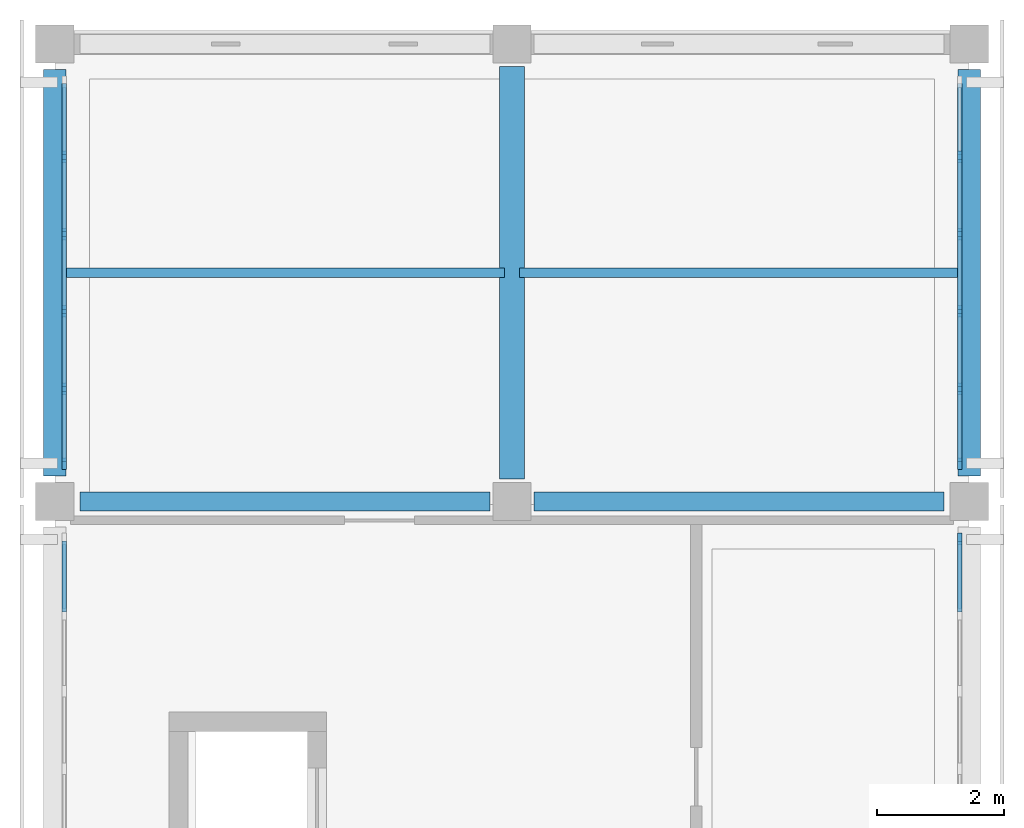
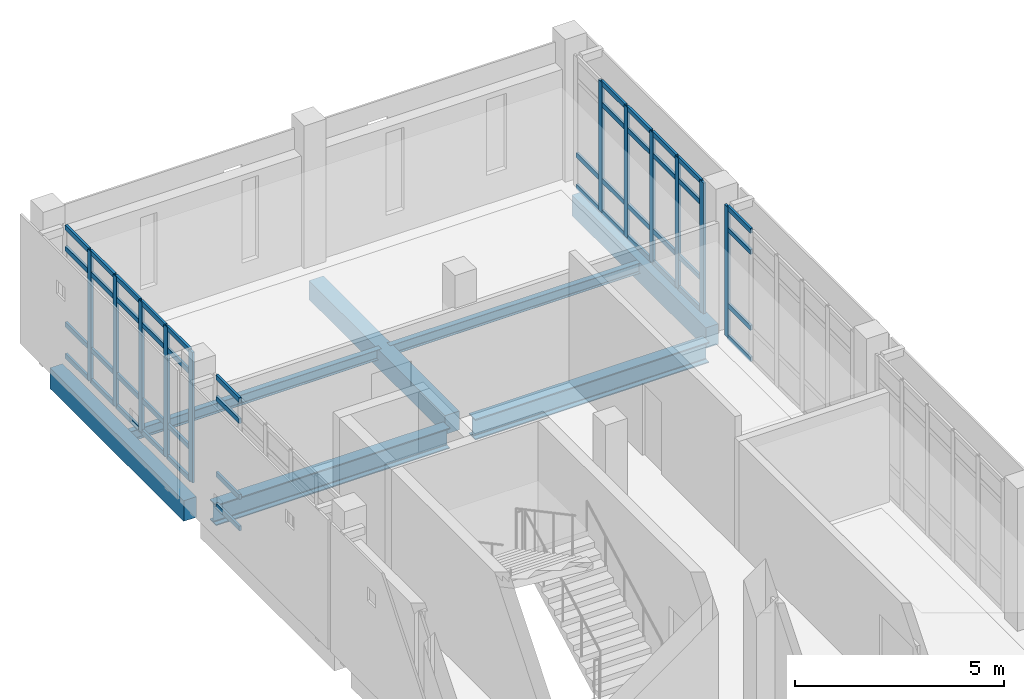
# One storey, part 9 of 21: 57 members, 7 beams, 4 elements without a shape of their own.
"""IFC4 building model written with IfcOpenShell, lengths in metres."""

from ifc_helpers import new_model, si_unit, direction, frame, origin, origin_2d, place, context, subcontext, project, spatial, rectangle, i_section, extrude, material, layer, layer_set, material_profile, profile_set, type_object, element, aggregate, save


model = new_model("IFC4")

# Units and contexts
model_context = context("Model", 3, precision=1e-05, world=origin(), true_north=direction((0.0, 1.0)))
body_context = subcontext(model_context, "Body", "Model", "MODEL_VIEW")
ifc_project = project(units=[si_unit("LENGTHUNIT", "METRE"), si_unit("AREAUNIT", "SQUARE_METRE"), si_unit("VOLUMEUNIT", "CUBIC_METRE"), si_unit("PLANEANGLEUNIT", "RADIAN"), si_unit("MASSUNIT", "GRAM", prefix="KILO")], contexts=[model_context])

# Site, building, storey
site_placement = place(None, origin())
site = spatial("IfcSite", under=ifc_project, at=site_placement, CompositionType="ELEMENT")
building_placement = place(site_placement, origin())
building = spatial("IfcBuilding", under=site, at=building_placement, Name="Valkovuoma Quantum and Materials Research Institute", CompositionType="ELEMENT")
storey_placement = place(building_placement, frame((0.0, 0.0, 29.760009765625)))
storey = spatial("IfcBuildingStorey", under=building, at=storey_placement, Name="L07", CompositionType="ELEMENT", Elevation=29.760009765625)

# Beams
ifc_material_1 = material(Name="Steel S355J2", Category="steel")
ifc_material_profile_1 = material_profile(ifc_material_1, i_section(OverallWidth=0.300048828125, OverallDepth=0.60009765625, WebThickness=0.015380859375, FlangeThickness=0.030029296875, FilletRadius=0.027099609375, at=origin_2d()), Name="Steel S355J2")
ifc_profile_set_1 = profile_set([ifc_material_profile_1], Name="Steel S355J2")
beam_type_1 = type_object("IfcBeamType", Name="Beam-B-HEB600", PredefinedType="BEAM", material=ifc_profile_set_1)
beam_1_placement = place(storey_placement, frame((0.39990234375, 86.39990234375, -0.64990234375), z_axis=(1.0, 0.0, 0.0), x_axis=(0.0, 1.0, 0.0)))
element("IfcBeam", 1, at=beam_1_placement, inside=storey, type_object=beam_type_1, Name="L07 beam X-2504", PredefinedType="BEAM", context=body_context, shape_type="SweptSolid", body=[
    extrude(i_section(OverallWidth=0.300048828125, OverallDepth=0.60009765625, WebThickness=0.015380859375, FlangeThickness=0.030029296875, FilletRadius=0.027099609375, at=origin_2d()), origin(), (0.0, 0.0, 1.0), 6.4501953125),
])
beam_2_placement = place(storey_placement, frame((7.550048828125, 86.39990234375, -0.64990234375), z_axis=(1.0, 0.0, 0.0), x_axis=(0.0, 1.0, 0.0)))
element("IfcBeam", 2, at=beam_2_placement, inside=storey, type_object=beam_type_1, Name="L07 beam X-2505", PredefinedType="BEAM", context=body_context, shape_type="SweptSolid", body=[
    extrude(i_section(OverallWidth=0.300048828125, OverallDepth=0.60009765625, WebThickness=0.015380859375, FlangeThickness=0.030029296875, FilletRadius=0.027099609375, at=origin_2d()), origin(), (0.0, 0.0, 1.0), 6.449951171875),
])
ifc_material_2 = material(Name="Steel S355J2", Category="steel")
ifc_material_profile_2 = material_profile(ifc_material_2, i_section(OverallWidth=0.14990234375, OverallDepth=0.300048828125, WebThickness=0.007080078125, FlangeThickness=0.0107421875, FilletRadius=0.014892578125, at=origin_2d()), Name="Steel S355J2")
ifc_profile_set_2 = profile_set([ifc_material_profile_2], Name="Steel S355J2")
beam_type_2 = type_object("IfcBeamType", Name="Beam-B-JST300", PredefinedType="JOIST", material=ifc_profile_set_2)
for number, where, z_axis, x_axis, name in (
    (3, (0.1201171875, 90.0, -0.5), (1.0, 0.0, 0.0), (0.0, 1.0, 0.0), "L07 floor joist 2530"),
    (4, (7.320068359375, 90.0, -0.5), (1.0, 0.0, 0.0), (0.0, 1.0, 0.0), "L07 floor joist 2531"),
):
    element("IfcBeam", number, at=place(storey_placement, frame(where, z_axis=z_axis, x_axis=x_axis)), inside=storey, type_object=beam_type_2, Name=name, PredefinedType="JOIST", context=body_context, shape_type="SweptSolid", body=[
        extrude(i_section(OverallWidth=0.14990234375, OverallDepth=0.300048828125, WebThickness=0.007080078125, FlangeThickness=0.0107421875, FilletRadius=0.014892578125, at=origin_2d()), origin(), (0.0, 0.0, 1.0), 6.9599609375),
    ])
ifc_material_3 = material(Name="Concrete C40/50", Category="concrete")
ifc_material_profile_3 = material_profile(ifc_material_3, rectangle(XDim=0.39990234375, YDim=0.550048828125, at=origin_2d()), Name="Concrete C40/50")
ifc_profile_set_3 = profile_set([ifc_material_profile_3], Name="Concrete C40/50")
beam_type_3 = type_object("IfcBeamType", Name="Beam-B-RC550", PredefinedType="BEAM", material=ifc_profile_set_3)
beam_3_placement = place(storey_placement, frame((7.199951171875, 86.75, -0.625), z_axis=(0.0, 1.0, 0.0), x_axis=(-1.0, 0.0, 0.0)))
element("IfcBeam", 5, at=beam_3_placement, inside=storey, type_object=beam_type_3, Name="L07 beam Y-2515", PredefinedType="BEAM", context=body_context, shape_type="SweptSolid", body=[
    extrude(rectangle(XDim=0.39990234375, YDim=0.550048828125, at=origin_2d()), origin(), (0.0, 0.0, 1.0), 6.5),
])
ifc_material_4 = material(Name="Concrete C40/50", Category="concrete")
ifc_material_profile_4 = material_profile(ifc_material_4, rectangle(XDim=0.35009765625, YDim=0.60009765625, at=origin_2d()), Name="Concrete C40/50")
ifc_profile_set_4 = profile_set([ifc_material_profile_4], Name="Concrete C40/50")
beam_type_4 = type_object("IfcBeamType", Name="Beam-B-SPN600", PredefinedType="SPANDREL", material=ifc_profile_set_4)
for number, where, z_axis, x_axis, name in (
    (6, (0.0, 86.800048828125, -0.64990234375), (0.0, 1.0, 0.0), (-1.0, 0.0, 0.0), "L07 beam Y-2512"),
    (7, (14.39990234375, 86.800048828125, -0.64990234375), (0.0, 1.0, 0.0), (-1.0, 0.0, 0.0), "L07 beam Y-2520"),
):
    element("IfcBeam", number, at=place(storey_placement, frame(where, z_axis=z_axis, x_axis=x_axis)), inside=storey, type_object=beam_type_4, Name=name, PredefinedType="SPANDREL", context=body_context, shape_type="SweptSolid", body=[
        extrude(rectangle(XDim=0.35009765625, YDim=0.60009765625, at=origin_2d()), origin(), (0.0, 0.0, 1.0), 6.39990234375),
    ])

# Curtain wall, member
ifc_material_5 = material(Name="Thermally broken aluminium and triple low-E glazing", Category="aluminium")
ifc_layer = layer(ifc_material_5, 0.219970703125)
ifc_layer_set = layer_set([ifc_layer], Name="Thermally broken aluminium and triple low-E glazing")
curtain_wall_type = type_object("IfcCurtainWallType", Name="CW-CW-01", PredefinedType="NOTDEFINED", material=ifc_layer_set)
curtain_wall_1_placement = place(storey_placement, origin())
curtain_wall_1 = element("IfcCurtainWall", 8, at=curtain_wall_1_placement, inside=storey, type_object=curtain_wall_type, Name="L07 curtain wall 106", PredefinedType="NOTDEFINED")
ifc_material_6 = material(Name="Anodised aluminium 6060-T66", Category="aluminium")
ifc_material_profile_5 = material_profile(ifc_material_6, rectangle(XDim=0.06494140625, YDim=0.179931640625, at=origin_2d()), Name="Anodised aluminium 6060-T66")
ifc_profile_set_5 = profile_set([ifc_material_profile_5], Name="Anodised aluminium 6060-T66")
member_type_1 = type_object("IfcMemberType", Name="CWMull-CWM-01", PredefinedType="MULLION", material=ifc_profile_set_5)
member_1_placement = place(storey_placement, frame((14.25, 85.810302734375, 0.0), z_axis=(0.0, 0.0, 1.0), x_axis=(-1.0, 0.0, 0.0)))
member_1 = element("IfcMember", 9, at=member_1_placement, type_object=member_type_1, Name="CW-01 mullion 6", PredefinedType="MULLION", context=body_context, shape_type="SweptSolid", body=[
    extrude(rectangle(XDim=0.06494140625, YDim=0.179931640625, at=origin_2d()), origin(), (0.0, 0.0, 1.0), 3.81005859375),
])

# Curtain wall, members
curtain_wall_2_placement = place(storey_placement, origin())
curtain_wall_2 = element("IfcCurtainWall", 10, at=curtain_wall_2_placement, inside=storey, type_object=curtain_wall_type, Name="L07 curtain wall 107", PredefinedType="NOTDEFINED")
member_2_placement = place(storey_placement, frame((0.14990234375, 86.989501953125, 0.0), z_axis=(0.0, 0.0, 1.0), x_axis=(-1.0, 0.0, 0.0)))
member_2 = element("IfcMember", 11, at=member_2_placement, type_object=member_type_1, Name="CW-01 mullion 1", PredefinedType="MULLION", context=body_context, shape_type="SweptSolid", body=[
    extrude(rectangle(XDim=0.06494140625, YDim=0.179931640625, at=origin_2d()), origin(), (0.0, 0.0, 1.0), 3.81005859375),
])
member_3_placement = place(storey_placement, frame((0.14990234375, 88.17431640625, 0.0), z_axis=(0.0, 0.0, 1.0), x_axis=(-1.0, 0.0, 0.0)))
member_3 = element("IfcMember", 12, at=member_3_placement, type_object=member_type_1, Name="CW-01 mullion 2", PredefinedType="MULLION", context=body_context, shape_type="SweptSolid", body=[
    extrude(rectangle(XDim=0.06494140625, YDim=0.179931640625, at=origin_2d()), origin(), (0.0, 0.0, 1.0), 3.81005859375),
])
member_4_placement = place(storey_placement, frame((0.14990234375, 89.391357421875, 0.0), z_axis=(0.0, 0.0, 1.0), x_axis=(-1.0, 0.0, 0.0)))
member_4 = element("IfcMember", 13, at=member_4_placement, type_object=member_type_1, Name="CW-01 mullion 3", PredefinedType="MULLION", context=body_context, shape_type="SweptSolid", body=[
    extrude(rectangle(XDim=0.06494140625, YDim=0.179931640625, at=origin_2d()), origin(), (0.0, 0.0, 1.0), 3.81005859375),
])
member_5_placement = place(storey_placement, frame((0.14990234375, 90.608642578125, 0.0), z_axis=(0.0, 0.0, 1.0), x_axis=(-1.0, 0.0, 0.0)))
member_5 = element("IfcMember", 14, at=member_5_placement, type_object=member_type_1, Name="CW-01 mullion 4", PredefinedType="MULLION", context=body_context, shape_type="SweptSolid", body=[
    extrude(rectangle(XDim=0.06494140625, YDim=0.179931640625, at=origin_2d()), origin(), (0.0, 0.0, 1.0), 3.81005859375),
])
member_6_placement = place(storey_placement, frame((0.14990234375, 91.82568359375, 0.0), z_axis=(0.0, 0.0, 1.0), x_axis=(-1.0, 0.0, 0.0)))
member_6 = element("IfcMember", 15, at=member_6_placement, type_object=member_type_1, Name="CW-01 mullion 5", PredefinedType="MULLION", context=body_context, shape_type="SweptSolid", body=[
    extrude(rectangle(XDim=0.06494140625, YDim=0.179931640625, at=origin_2d()), origin(), (0.0, 0.0, 1.0), 3.81005859375),
])

curtain_wall_3_placement = place(storey_placement, origin())
curtain_wall_3 = element("IfcCurtainWall", 16, at=curtain_wall_3_placement, inside=storey, type_object=curtain_wall_type, Name="L07 curtain wall 108", PredefinedType="NOTDEFINED")
member_7_placement = place(storey_placement, frame((14.25, 86.989501953125, 0.0), z_axis=(0.0, 0.0, 1.0), x_axis=(-1.0, 0.0, 0.0)))
member_7 = element("IfcMember", 17, at=member_7_placement, type_object=member_type_1, Name="CW-01 mullion 1", PredefinedType="MULLION", context=body_context, shape_type="SweptSolid", body=[
    extrude(rectangle(XDim=0.06494140625, YDim=0.179931640625, at=origin_2d()), origin(), (0.0, 0.0, 1.0), 3.81005859375),
])
member_8_placement = place(storey_placement, frame((14.25, 88.17431640625, 0.0), z_axis=(0.0, 0.0, 1.0), x_axis=(-1.0, 0.0, 0.0)))
member_8 = element("IfcMember", 18, at=member_8_placement, type_object=member_type_1, Name="CW-01 mullion 2", PredefinedType="MULLION", context=body_context, shape_type="SweptSolid", body=[
    extrude(rectangle(XDim=0.06494140625, YDim=0.179931640625, at=origin_2d()), origin(), (0.0, 0.0, 1.0), 3.81005859375),
])
member_9_placement = place(storey_placement, frame((14.25, 89.391357421875, 0.0), z_axis=(0.0, 0.0, 1.0), x_axis=(-1.0, 0.0, 0.0)))
member_9 = element("IfcMember", 19, at=member_9_placement, type_object=member_type_1, Name="CW-01 mullion 3", PredefinedType="MULLION", context=body_context, shape_type="SweptSolid", body=[
    extrude(rectangle(XDim=0.06494140625, YDim=0.179931640625, at=origin_2d()), origin(), (0.0, 0.0, 1.0), 3.81005859375),
])
member_10_placement = place(storey_placement, frame((14.25, 90.608642578125, 0.0), z_axis=(0.0, 0.0, 1.0), x_axis=(-1.0, 0.0, 0.0)))
member_10 = element("IfcMember", 20, at=member_10_placement, type_object=member_type_1, Name="CW-01 mullion 4", PredefinedType="MULLION", context=body_context, shape_type="SweptSolid", body=[
    extrude(rectangle(XDim=0.06494140625, YDim=0.179931640625, at=origin_2d()), origin(), (0.0, 0.0, 1.0), 3.81005859375),
])
member_11_placement = place(storey_placement, frame((14.25, 91.82568359375, 0.0), z_axis=(0.0, 0.0, 1.0), x_axis=(-1.0, 0.0, 0.0)))
member_11 = element("IfcMember", 21, at=member_11_placement, type_object=member_type_1, Name="CW-01 mullion 5", PredefinedType="MULLION", context=body_context, shape_type="SweptSolid", body=[
    extrude(rectangle(XDim=0.06494140625, YDim=0.179931640625, at=origin_2d()), origin(), (0.0, 0.0, 1.0), 3.81005859375),
])

curtain_wall_4_placement = place(storey_placement, origin())
curtain_wall_4 = element("IfcCurtainWall", 22, at=curtain_wall_4_placement, inside=storey, type_object=curtain_wall_type, Name="L07 curtain wall 105", PredefinedType="NOTDEFINED")
ifc_material_7 = material(Name="Anodised aluminium 6060-T66", Category="aluminium")
ifc_material_profile_6 = material_profile(ifc_material_7, rectangle(XDim=0.06494140625, YDim=0.139892578125, at=origin_2d()), Name="Anodised aluminium 6060-T66")
ifc_profile_set_6 = profile_set([ifc_material_profile_6], Name="Anodised aluminium 6060-T66")
member_type_2 = type_object("IfcMemberType", Name="CWTran-CWT-01", PredefinedType="USERDEFINED", material=ifc_profile_set_6)
member_12_placement = place(storey_placement, frame((0.14990234375, 84.658203125, 0.032470703125), z_axis=(0.0, 1.0, 0.0), x_axis=(-1.0, 0.0, 0.0)))
member_12 = element("IfcMember", 23, at=member_12_placement, type_object=member_type_2, Name="CW-01 transom 5.1", ObjectType="TRANSOM", PredefinedType="USERDEFINED", context=body_context, shape_type="SweptSolid", body=[
    extrude(rectangle(XDim=0.06494140625, YDim=0.139892578125, at=origin_2d()), origin(), (0.0, 0.0, 1.0), 1.11962890625),
])
member_13_placement = place(storey_placement, frame((0.14990234375, 84.658203125, 0.949951171875), z_axis=(0.0, 1.0, 0.0), x_axis=(-1.0, 0.0, 0.0)))
member_13 = element("IfcMember", 24, at=member_13_placement, type_object=member_type_2, Name="CW-01 transom 5.2", ObjectType="TRANSOM", PredefinedType="USERDEFINED", context=body_context, shape_type="SweptSolid", body=[
    extrude(rectangle(XDim=0.06494140625, YDim=0.139892578125, at=origin_2d()), origin(), (0.0, 0.0, 1.0), 1.11962890625),
])
member_14_placement = place(storey_placement, frame((0.14990234375, 84.658203125, 3.159912109375), z_axis=(0.0, 1.0, 0.0), x_axis=(-1.0, 0.0, 0.0)))
member_14 = element("IfcMember", 25, at=member_14_placement, type_object=member_type_2, Name="CW-01 transom 5.3", ObjectType="TRANSOM", PredefinedType="USERDEFINED", context=body_context, shape_type="SweptSolid", body=[
    extrude(rectangle(XDim=0.06494140625, YDim=0.139892578125, at=origin_2d()), origin(), (0.0, 0.0, 1.0), 1.11962890625),
])
member_15_placement = place(storey_placement, frame((0.14990234375, 84.658203125, 3.777587890625), z_axis=(0.0, 1.0, 0.0), x_axis=(-1.0, 0.0, 0.0)))
member_15 = element("IfcMember", 26, at=member_15_placement, type_object=member_type_2, Name="CW-01 transom 5.4", ObjectType="TRANSOM", PredefinedType="USERDEFINED", context=body_context, shape_type="SweptSolid", body=[
    extrude(rectangle(XDim=0.06494140625, YDim=0.139892578125, at=origin_2d()), origin(), (0.0, 0.0, 1.0), 1.11962890625),
])
aggregate(curtain_wall_4, [member_12, member_13, member_14, member_15])

# Member
member_16_placement = place(storey_placement, frame((14.25, 84.658203125, 0.032470703125), z_axis=(0.0, 1.0, 0.0), x_axis=(-1.0, 0.0, 0.0)))
member_16 = element("IfcMember", 27, at=member_16_placement, type_object=member_type_2, Name="CW-01 transom 5.1", ObjectType="TRANSOM", PredefinedType="USERDEFINED", context=body_context, shape_type="SweptSolid", body=[
    extrude(rectangle(XDim=0.06494140625, YDim=0.139892578125, at=origin_2d()), origin(), (0.0, 0.0, 1.0), 1.11962890625),
])

member_17_placement = place(storey_placement, frame((14.25, 84.658203125, 0.949951171875), z_axis=(0.0, 1.0, 0.0), x_axis=(-1.0, 0.0, 0.0)))
member_17 = element("IfcMember", 28, at=member_17_placement, type_object=member_type_2, Name="CW-01 transom 5.2", ObjectType="TRANSOM", PredefinedType="USERDEFINED", context=body_context, shape_type="SweptSolid", body=[
    extrude(rectangle(XDim=0.06494140625, YDim=0.139892578125, at=origin_2d()), origin(), (0.0, 0.0, 1.0), 1.11962890625),
])

member_18_placement = place(storey_placement, frame((14.25, 84.658203125, 3.159912109375), z_axis=(0.0, 1.0, 0.0), x_axis=(-1.0, 0.0, 0.0)))
member_18 = element("IfcMember", 29, at=member_18_placement, type_object=member_type_2, Name="CW-01 transom 5.3", ObjectType="TRANSOM", PredefinedType="USERDEFINED", context=body_context, shape_type="SweptSolid", body=[
    extrude(rectangle(XDim=0.06494140625, YDim=0.139892578125, at=origin_2d()), origin(), (0.0, 0.0, 1.0), 1.11962890625),
])

member_19_placement = place(storey_placement, frame((14.25, 84.658203125, 3.777587890625), z_axis=(0.0, 1.0, 0.0), x_axis=(-1.0, 0.0, 0.0)))
member_19 = element("IfcMember", 30, at=member_19_placement, type_object=member_type_2, Name="CW-01 transom 5.4", ObjectType="TRANSOM", PredefinedType="USERDEFINED", context=body_context, shape_type="SweptSolid", body=[
    extrude(rectangle(XDim=0.06494140625, YDim=0.139892578125, at=origin_2d()), origin(), (0.0, 0.0, 1.0), 1.11962890625),
])

aggregate(curtain_wall_1, [member_1, member_16, member_17, member_18, member_19])

member_20_placement = place(storey_placement, frame((0.14990234375, 87.022216796875, 0.032470703125), z_axis=(0.0, 1.0, 0.0), x_axis=(-1.0, 0.0, 0.0)))
member_20 = element("IfcMember", 31, at=member_20_placement, type_object=member_type_2, Name="CW-01 transom 1.1", ObjectType="TRANSOM", PredefinedType="USERDEFINED", context=body_context, shape_type="SweptSolid", body=[
    extrude(rectangle(XDim=0.06494140625, YDim=0.139892578125, at=origin_2d()), origin(), (0.0, 0.0, 1.0), 1.11962890625),
])

member_21_placement = place(storey_placement, frame((0.14990234375, 87.022216796875, 0.949951171875), z_axis=(0.0, 1.0, 0.0), x_axis=(-1.0, 0.0, 0.0)))
member_21 = element("IfcMember", 32, at=member_21_placement, type_object=member_type_2, Name="CW-01 transom 1.2", ObjectType="TRANSOM", PredefinedType="USERDEFINED", context=body_context, shape_type="SweptSolid", body=[
    extrude(rectangle(XDim=0.06494140625, YDim=0.139892578125, at=origin_2d()), origin(), (0.0, 0.0, 1.0), 1.11962890625),
])

member_22_placement = place(storey_placement, frame((0.14990234375, 87.022216796875, 3.159912109375), z_axis=(0.0, 1.0, 0.0), x_axis=(-1.0, 0.0, 0.0)))
member_22 = element("IfcMember", 33, at=member_22_placement, type_object=member_type_2, Name="CW-01 transom 1.3", ObjectType="TRANSOM", PredefinedType="USERDEFINED", context=body_context, shape_type="SweptSolid", body=[
    extrude(rectangle(XDim=0.06494140625, YDim=0.139892578125, at=origin_2d()), origin(), (0.0, 0.0, 1.0), 1.11962890625),
])

member_23_placement = place(storey_placement, frame((0.14990234375, 87.022216796875, 3.777587890625), z_axis=(0.0, 1.0, 0.0), x_axis=(-1.0, 0.0, 0.0)))
member_23 = element("IfcMember", 34, at=member_23_placement, type_object=member_type_2, Name="CW-01 transom 1.4", ObjectType="TRANSOM", PredefinedType="USERDEFINED", context=body_context, shape_type="SweptSolid", body=[
    extrude(rectangle(XDim=0.06494140625, YDim=0.139892578125, at=origin_2d()), origin(), (0.0, 0.0, 1.0), 1.11962890625),
])

member_24_placement = place(storey_placement, frame((0.14990234375, 88.206787109375, 0.032470703125), z_axis=(0.0, 1.0, 0.0), x_axis=(-1.0, 0.0, 0.0)))
member_24 = element("IfcMember", 35, at=member_24_placement, type_object=member_type_2, Name="CW-01 transom 2.1", ObjectType="TRANSOM", PredefinedType="USERDEFINED", context=body_context, shape_type="SweptSolid", body=[
    extrude(rectangle(XDim=0.06494140625, YDim=0.139892578125, at=origin_2d()), origin(), (0.0, 0.0, 1.0), 1.152099609375),
])

member_25_placement = place(storey_placement, frame((0.14990234375, 88.206787109375, 0.949951171875), z_axis=(0.0, 1.0, 0.0), x_axis=(-1.0, 0.0, 0.0)))
member_25 = element("IfcMember", 36, at=member_25_placement, type_object=member_type_2, Name="CW-01 transom 2.2", ObjectType="TRANSOM", PredefinedType="USERDEFINED", context=body_context, shape_type="SweptSolid", body=[
    extrude(rectangle(XDim=0.06494140625, YDim=0.139892578125, at=origin_2d()), origin(), (0.0, 0.0, 1.0), 1.152099609375),
])

member_26_placement = place(storey_placement, frame((0.14990234375, 88.206787109375, 3.159912109375), z_axis=(0.0, 1.0, 0.0), x_axis=(-1.0, 0.0, 0.0)))
member_26 = element("IfcMember", 37, at=member_26_placement, type_object=member_type_2, Name="CW-01 transom 2.3", ObjectType="TRANSOM", PredefinedType="USERDEFINED", context=body_context, shape_type="SweptSolid", body=[
    extrude(rectangle(XDim=0.06494140625, YDim=0.139892578125, at=origin_2d()), origin(), (0.0, 0.0, 1.0), 1.152099609375),
])

member_27_placement = place(storey_placement, frame((0.14990234375, 88.206787109375, 3.777587890625), z_axis=(0.0, 1.0, 0.0), x_axis=(-1.0, 0.0, 0.0)))
member_27 = element("IfcMember", 38, at=member_27_placement, type_object=member_type_2, Name="CW-01 transom 2.4", ObjectType="TRANSOM", PredefinedType="USERDEFINED", context=body_context, shape_type="SweptSolid", body=[
    extrude(rectangle(XDim=0.06494140625, YDim=0.139892578125, at=origin_2d()), origin(), (0.0, 0.0, 1.0), 1.152099609375),
])

member_28_placement = place(storey_placement, frame((0.14990234375, 89.423828125, 0.032470703125), z_axis=(0.0, 1.0, 0.0), x_axis=(-1.0, 0.0, 0.0)))
member_28 = element("IfcMember", 39, at=member_28_placement, type_object=member_type_2, Name="CW-01 transom 3.1", ObjectType="TRANSOM", PredefinedType="USERDEFINED", context=body_context, shape_type="SweptSolid", body=[
    extrude(rectangle(XDim=0.06494140625, YDim=0.139892578125, at=origin_2d()), origin(), (0.0, 0.0, 1.0), 1.15234375),
])

member_29_placement = place(storey_placement, frame((0.14990234375, 89.423828125, 0.949951171875), z_axis=(0.0, 1.0, 0.0), x_axis=(-1.0, 0.0, 0.0)))
member_29 = element("IfcMember", 40, at=member_29_placement, type_object=member_type_2, Name="CW-01 transom 3.2", ObjectType="TRANSOM", PredefinedType="USERDEFINED", context=body_context, shape_type="SweptSolid", body=[
    extrude(rectangle(XDim=0.06494140625, YDim=0.139892578125, at=origin_2d()), origin(), (0.0, 0.0, 1.0), 1.15234375),
])

member_30_placement = place(storey_placement, frame((0.14990234375, 89.423828125, 3.159912109375), z_axis=(0.0, 1.0, 0.0), x_axis=(-1.0, 0.0, 0.0)))
member_30 = element("IfcMember", 41, at=member_30_placement, type_object=member_type_2, Name="CW-01 transom 3.3", ObjectType="TRANSOM", PredefinedType="USERDEFINED", context=body_context, shape_type="SweptSolid", body=[
    extrude(rectangle(XDim=0.06494140625, YDim=0.139892578125, at=origin_2d()), origin(), (0.0, 0.0, 1.0), 1.15234375),
])

member_31_placement = place(storey_placement, frame((0.14990234375, 89.423828125, 3.777587890625), z_axis=(0.0, 1.0, 0.0), x_axis=(-1.0, 0.0, 0.0)))
member_31 = element("IfcMember", 42, at=member_31_placement, type_object=member_type_2, Name="CW-01 transom 3.4", ObjectType="TRANSOM", PredefinedType="USERDEFINED", context=body_context, shape_type="SweptSolid", body=[
    extrude(rectangle(XDim=0.06494140625, YDim=0.139892578125, at=origin_2d()), origin(), (0.0, 0.0, 1.0), 1.15234375),
])

member_32_placement = place(storey_placement, frame((0.14990234375, 90.64111328125, 0.032470703125), z_axis=(0.0, 1.0, 0.0), x_axis=(-1.0, 0.0, 0.0)))
member_32 = element("IfcMember", 43, at=member_32_placement, type_object=member_type_2, Name="CW-01 transom 4.1", ObjectType="TRANSOM", PredefinedType="USERDEFINED", context=body_context, shape_type="SweptSolid", body=[
    extrude(rectangle(XDim=0.06494140625, YDim=0.139892578125, at=origin_2d()), origin(), (0.0, 0.0, 1.0), 1.152099609375),
])

member_33_placement = place(storey_placement, frame((0.14990234375, 90.64111328125, 0.949951171875), z_axis=(0.0, 1.0, 0.0), x_axis=(-1.0, 0.0, 0.0)))
member_33 = element("IfcMember", 44, at=member_33_placement, type_object=member_type_2, Name="CW-01 transom 4.2", ObjectType="TRANSOM", PredefinedType="USERDEFINED", context=body_context, shape_type="SweptSolid", body=[
    extrude(rectangle(XDim=0.06494140625, YDim=0.139892578125, at=origin_2d()), origin(), (0.0, 0.0, 1.0), 1.152099609375),
])

member_34_placement = place(storey_placement, frame((0.14990234375, 90.64111328125, 3.159912109375), z_axis=(0.0, 1.0, 0.0), x_axis=(-1.0, 0.0, 0.0)))
member_34 = element("IfcMember", 45, at=member_34_placement, type_object=member_type_2, Name="CW-01 transom 4.3", ObjectType="TRANSOM", PredefinedType="USERDEFINED", context=body_context, shape_type="SweptSolid", body=[
    extrude(rectangle(XDim=0.06494140625, YDim=0.139892578125, at=origin_2d()), origin(), (0.0, 0.0, 1.0), 1.152099609375),
])

member_35_placement = place(storey_placement, frame((0.14990234375, 90.64111328125, 3.777587890625), z_axis=(0.0, 1.0, 0.0), x_axis=(-1.0, 0.0, 0.0)))
member_35 = element("IfcMember", 46, at=member_35_placement, type_object=member_type_2, Name="CW-01 transom 4.4", ObjectType="TRANSOM", PredefinedType="USERDEFINED", context=body_context, shape_type="SweptSolid", body=[
    extrude(rectangle(XDim=0.06494140625, YDim=0.139892578125, at=origin_2d()), origin(), (0.0, 0.0, 1.0), 1.152099609375),
])

member_36_placement = place(storey_placement, frame((0.14990234375, 91.858154296875, 0.032470703125), z_axis=(0.0, 1.0, 0.0), x_axis=(-1.0, 0.0, 0.0)))
member_36 = element("IfcMember", 47, at=member_36_placement, type_object=member_type_2, Name="CW-01 transom 5.1", ObjectType="TRANSOM", PredefinedType="USERDEFINED", context=body_context, shape_type="SweptSolid", body=[
    extrude(rectangle(XDim=0.06494140625, YDim=0.139892578125, at=origin_2d()), origin(), (0.0, 0.0, 1.0), 1.11962890625),
])

member_37_placement = place(storey_placement, frame((0.14990234375, 91.858154296875, 0.949951171875), z_axis=(0.0, 1.0, 0.0), x_axis=(-1.0, 0.0, 0.0)))
member_37 = element("IfcMember", 48, at=member_37_placement, type_object=member_type_2, Name="CW-01 transom 5.2", ObjectType="TRANSOM", PredefinedType="USERDEFINED", context=body_context, shape_type="SweptSolid", body=[
    extrude(rectangle(XDim=0.06494140625, YDim=0.139892578125, at=origin_2d()), origin(), (0.0, 0.0, 1.0), 1.11962890625),
])

member_38_placement = place(storey_placement, frame((0.14990234375, 91.858154296875, 3.159912109375), z_axis=(0.0, 1.0, 0.0), x_axis=(-1.0, 0.0, 0.0)))
member_38 = element("IfcMember", 49, at=member_38_placement, type_object=member_type_2, Name="CW-01 transom 5.3", ObjectType="TRANSOM", PredefinedType="USERDEFINED", context=body_context, shape_type="SweptSolid", body=[
    extrude(rectangle(XDim=0.06494140625, YDim=0.139892578125, at=origin_2d()), origin(), (0.0, 0.0, 1.0), 1.11962890625),
])

member_39_placement = place(storey_placement, frame((0.14990234375, 91.858154296875, 3.777587890625), z_axis=(0.0, 1.0, 0.0), x_axis=(-1.0, 0.0, 0.0)))
member_39 = element("IfcMember", 50, at=member_39_placement, type_object=member_type_2, Name="CW-01 transom 5.4", ObjectType="TRANSOM", PredefinedType="USERDEFINED", context=body_context, shape_type="SweptSolid", body=[
    extrude(rectangle(XDim=0.06494140625, YDim=0.139892578125, at=origin_2d()), origin(), (0.0, 0.0, 1.0), 1.11962890625),
])

aggregate(curtain_wall_2, [member_2, member_3, member_4, member_5, member_6, member_20, member_21, member_22, member_23, member_24, member_25, member_26, member_27, member_28, member_29, member_30, member_31, member_32, member_33, member_34, member_35, member_36, member_37, member_38, member_39])

member_40_placement = place(storey_placement, frame((14.25, 87.022216796875, 0.032470703125), z_axis=(0.0, 1.0, 0.0), x_axis=(-1.0, 0.0, 0.0)))
member_40 = element("IfcMember", 51, at=member_40_placement, type_object=member_type_2, Name="CW-01 transom 1.1", ObjectType="TRANSOM", PredefinedType="USERDEFINED", context=body_context, shape_type="SweptSolid", body=[
    extrude(rectangle(XDim=0.06494140625, YDim=0.139892578125, at=origin_2d()), origin(), (0.0, 0.0, 1.0), 1.11962890625),
])

member_41_placement = place(storey_placement, frame((14.25, 87.022216796875, 0.949951171875), z_axis=(0.0, 1.0, 0.0), x_axis=(-1.0, 0.0, 0.0)))
member_41 = element("IfcMember", 52, at=member_41_placement, type_object=member_type_2, Name="CW-01 transom 1.2", ObjectType="TRANSOM", PredefinedType="USERDEFINED", context=body_context, shape_type="SweptSolid", body=[
    extrude(rectangle(XDim=0.06494140625, YDim=0.139892578125, at=origin_2d()), origin(), (0.0, 0.0, 1.0), 1.11962890625),
])

member_42_placement = place(storey_placement, frame((14.25, 87.022216796875, 3.159912109375), z_axis=(0.0, 1.0, 0.0), x_axis=(-1.0, 0.0, 0.0)))
member_42 = element("IfcMember", 53, at=member_42_placement, type_object=member_type_2, Name="CW-01 transom 1.3", ObjectType="TRANSOM", PredefinedType="USERDEFINED", context=body_context, shape_type="SweptSolid", body=[
    extrude(rectangle(XDim=0.06494140625, YDim=0.139892578125, at=origin_2d()), origin(), (0.0, 0.0, 1.0), 1.11962890625),
])

member_43_placement = place(storey_placement, frame((14.25, 87.022216796875, 3.777587890625), z_axis=(0.0, 1.0, 0.0), x_axis=(-1.0, 0.0, 0.0)))
member_43 = element("IfcMember", 54, at=member_43_placement, type_object=member_type_2, Name="CW-01 transom 1.4", ObjectType="TRANSOM", PredefinedType="USERDEFINED", context=body_context, shape_type="SweptSolid", body=[
    extrude(rectangle(XDim=0.06494140625, YDim=0.139892578125, at=origin_2d()), origin(), (0.0, 0.0, 1.0), 1.11962890625),
])

member_44_placement = place(storey_placement, frame((14.25, 88.206787109375, 0.032470703125), z_axis=(0.0, 1.0, 0.0), x_axis=(-1.0, 0.0, 0.0)))
member_44 = element("IfcMember", 55, at=member_44_placement, type_object=member_type_2, Name="CW-01 transom 2.1", ObjectType="TRANSOM", PredefinedType="USERDEFINED", context=body_context, shape_type="SweptSolid", body=[
    extrude(rectangle(XDim=0.06494140625, YDim=0.139892578125, at=origin_2d()), origin(), (0.0, 0.0, 1.0), 1.152099609375),
])

member_45_placement = place(storey_placement, frame((14.25, 88.206787109375, 0.949951171875), z_axis=(0.0, 1.0, 0.0), x_axis=(-1.0, 0.0, 0.0)))
member_45 = element("IfcMember", 56, at=member_45_placement, type_object=member_type_2, Name="CW-01 transom 2.2", ObjectType="TRANSOM", PredefinedType="USERDEFINED", context=body_context, shape_type="SweptSolid", body=[
    extrude(rectangle(XDim=0.06494140625, YDim=0.139892578125, at=origin_2d()), origin(), (0.0, 0.0, 1.0), 1.152099609375),
])

member_46_placement = place(storey_placement, frame((14.25, 88.206787109375, 3.159912109375), z_axis=(0.0, 1.0, 0.0), x_axis=(-1.0, 0.0, 0.0)))
member_46 = element("IfcMember", 57, at=member_46_placement, type_object=member_type_2, Name="CW-01 transom 2.3", ObjectType="TRANSOM", PredefinedType="USERDEFINED", context=body_context, shape_type="SweptSolid", body=[
    extrude(rectangle(XDim=0.06494140625, YDim=0.139892578125, at=origin_2d()), origin(), (0.0, 0.0, 1.0), 1.152099609375),
])

member_47_placement = place(storey_placement, frame((14.25, 88.206787109375, 3.777587890625), z_axis=(0.0, 1.0, 0.0), x_axis=(-1.0, 0.0, 0.0)))
member_47 = element("IfcMember", 58, at=member_47_placement, type_object=member_type_2, Name="CW-01 transom 2.4", ObjectType="TRANSOM", PredefinedType="USERDEFINED", context=body_context, shape_type="SweptSolid", body=[
    extrude(rectangle(XDim=0.06494140625, YDim=0.139892578125, at=origin_2d()), origin(), (0.0, 0.0, 1.0), 1.152099609375),
])

member_48_placement = place(storey_placement, frame((14.25, 89.423828125, 0.032470703125), z_axis=(0.0, 1.0, 0.0), x_axis=(-1.0, 0.0, 0.0)))
member_48 = element("IfcMember", 59, at=member_48_placement, type_object=member_type_2, Name="CW-01 transom 3.1", ObjectType="TRANSOM", PredefinedType="USERDEFINED", context=body_context, shape_type="SweptSolid", body=[
    extrude(rectangle(XDim=0.06494140625, YDim=0.139892578125, at=origin_2d()), origin(), (0.0, 0.0, 1.0), 1.15234375),
])

member_49_placement = place(storey_placement, frame((14.25, 89.423828125, 0.949951171875), z_axis=(0.0, 1.0, 0.0), x_axis=(-1.0, 0.0, 0.0)))
member_49 = element("IfcMember", 60, at=member_49_placement, type_object=member_type_2, Name="CW-01 transom 3.2", ObjectType="TRANSOM", PredefinedType="USERDEFINED", context=body_context, shape_type="SweptSolid", body=[
    extrude(rectangle(XDim=0.06494140625, YDim=0.139892578125, at=origin_2d()), origin(), (0.0, 0.0, 1.0), 1.15234375),
])

member_50_placement = place(storey_placement, frame((14.25, 89.423828125, 3.159912109375), z_axis=(0.0, 1.0, 0.0), x_axis=(-1.0, 0.0, 0.0)))
member_50 = element("IfcMember", 61, at=member_50_placement, type_object=member_type_2, Name="CW-01 transom 3.3", ObjectType="TRANSOM", PredefinedType="USERDEFINED", context=body_context, shape_type="SweptSolid", body=[
    extrude(rectangle(XDim=0.06494140625, YDim=0.139892578125, at=origin_2d()), origin(), (0.0, 0.0, 1.0), 1.15234375),
])

member_51_placement = place(storey_placement, frame((14.25, 89.423828125, 3.777587890625), z_axis=(0.0, 1.0, 0.0), x_axis=(-1.0, 0.0, 0.0)))
member_51 = element("IfcMember", 62, at=member_51_placement, type_object=member_type_2, Name="CW-01 transom 3.4", ObjectType="TRANSOM", PredefinedType="USERDEFINED", context=body_context, shape_type="SweptSolid", body=[
    extrude(rectangle(XDim=0.06494140625, YDim=0.139892578125, at=origin_2d()), origin(), (0.0, 0.0, 1.0), 1.15234375),
])

member_52_placement = place(storey_placement, frame((14.25, 90.64111328125, 0.032470703125), z_axis=(0.0, 1.0, 0.0), x_axis=(-1.0, 0.0, 0.0)))
member_52 = element("IfcMember", 63, at=member_52_placement, type_object=member_type_2, Name="CW-01 transom 4.1", ObjectType="TRANSOM", PredefinedType="USERDEFINED", context=body_context, shape_type="SweptSolid", body=[
    extrude(rectangle(XDim=0.06494140625, YDim=0.139892578125, at=origin_2d()), origin(), (0.0, 0.0, 1.0), 1.152099609375),
])

member_53_placement = place(storey_placement, frame((14.25, 90.64111328125, 0.949951171875), z_axis=(0.0, 1.0, 0.0), x_axis=(-1.0, 0.0, 0.0)))
member_53 = element("IfcMember", 64, at=member_53_placement, type_object=member_type_2, Name="CW-01 transom 4.2", ObjectType="TRANSOM", PredefinedType="USERDEFINED", context=body_context, shape_type="SweptSolid", body=[
    extrude(rectangle(XDim=0.06494140625, YDim=0.139892578125, at=origin_2d()), origin(), (0.0, 0.0, 1.0), 1.152099609375),
])

member_54_placement = place(storey_placement, frame((14.25, 90.64111328125, 3.159912109375), z_axis=(0.0, 1.0, 0.0), x_axis=(-1.0, 0.0, 0.0)))
member_54 = element("IfcMember", 65, at=member_54_placement, type_object=member_type_2, Name="CW-01 transom 4.3", ObjectType="TRANSOM", PredefinedType="USERDEFINED", context=body_context, shape_type="SweptSolid", body=[
    extrude(rectangle(XDim=0.06494140625, YDim=0.139892578125, at=origin_2d()), origin(), (0.0, 0.0, 1.0), 1.152099609375),
])

member_55_placement = place(storey_placement, frame((14.25, 90.64111328125, 3.777587890625), z_axis=(0.0, 1.0, 0.0), x_axis=(-1.0, 0.0, 0.0)))
member_55 = element("IfcMember", 66, at=member_55_placement, type_object=member_type_2, Name="CW-01 transom 4.4", ObjectType="TRANSOM", PredefinedType="USERDEFINED", context=body_context, shape_type="SweptSolid", body=[
    extrude(rectangle(XDim=0.06494140625, YDim=0.139892578125, at=origin_2d()), origin(), (0.0, 0.0, 1.0), 1.152099609375),
])

member_56_placement = place(storey_placement, frame((14.25, 91.858154296875, 0.032470703125), z_axis=(0.0, 1.0, 0.0), x_axis=(-1.0, 0.0, 0.0)))
member_56 = element("IfcMember", 67, at=member_56_placement, type_object=member_type_2, Name="CW-01 transom 5.1", ObjectType="TRANSOM", PredefinedType="USERDEFINED", context=body_context, shape_type="SweptSolid", body=[
    extrude(rectangle(XDim=0.06494140625, YDim=0.139892578125, at=origin_2d()), origin(), (0.0, 0.0, 1.0), 1.11962890625),
])

member_57_placement = place(storey_placement, frame((14.25, 91.858154296875, 0.949951171875), z_axis=(0.0, 1.0, 0.0), x_axis=(-1.0, 0.0, 0.0)))
member_57 = element("IfcMember", 68, at=member_57_placement, type_object=member_type_2, Name="CW-01 transom 5.2", ObjectType="TRANSOM", PredefinedType="USERDEFINED", context=body_context, shape_type="SweptSolid", body=[
    extrude(rectangle(XDim=0.06494140625, YDim=0.139892578125, at=origin_2d()), origin(), (0.0, 0.0, 1.0), 1.11962890625),
])

aggregate(curtain_wall_3, [member_7, member_8, member_9, member_10, member_11, member_40, member_41, member_42, member_43, member_44, member_45, member_46, member_47, member_48, member_49, member_50, member_51, member_52, member_53, member_54, member_55, member_56, member_57])

save(model, "model.ifc")
